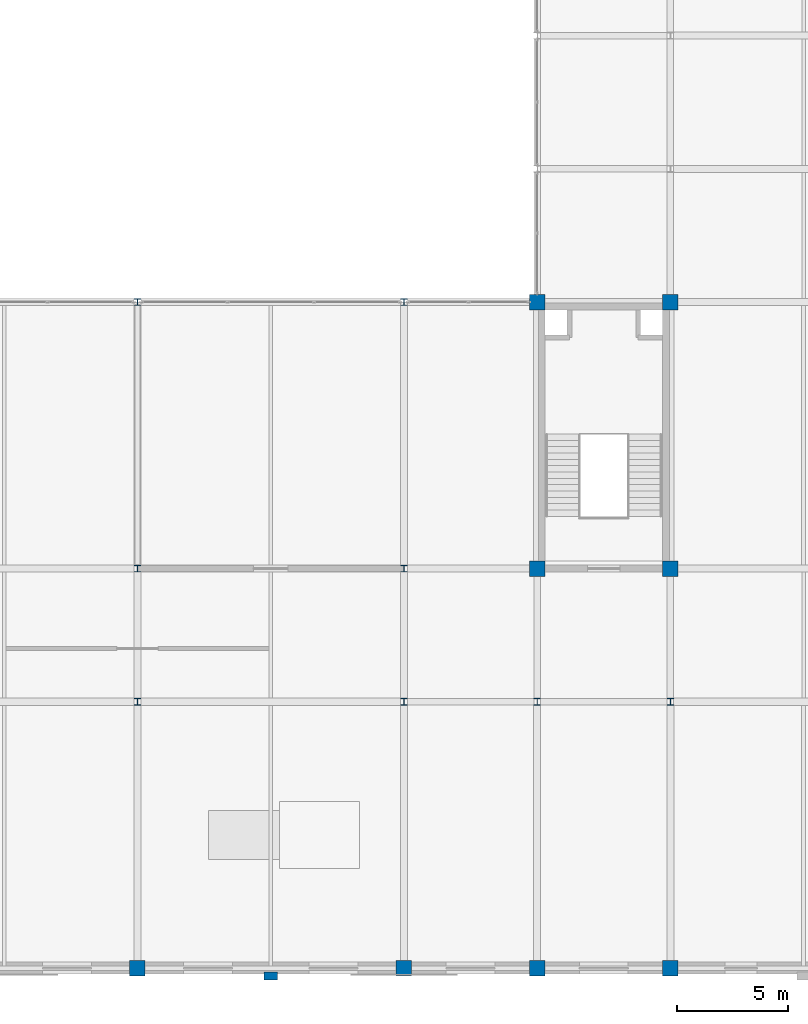
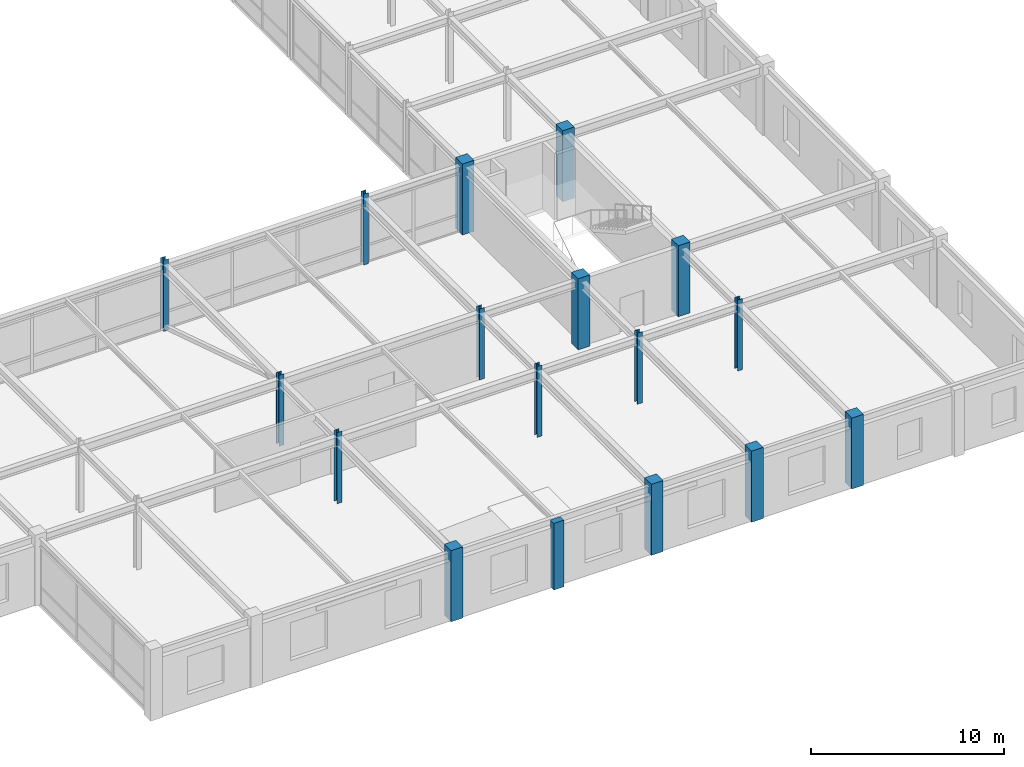
# One storey, part 18 of 108: 17 columns.
"""IFC4 building model written with IfcOpenShell, lengths in metres."""

from ifc_helpers import new_model, si_unit, direction, frame, origin, origin_2d, place, context, subcontext, project, spatial, rectangle, i_section, extrude, material, material_profile, profile_set, type_object, element, save


model = new_model("IFC4")

# Units and contexts
model_context = context("Model", 3, precision=1e-05, world=origin(), true_north=direction((0.0, 1.0)))
body_context = subcontext(model_context, "Body", "Model", "MODEL_VIEW")
ifc_project = project(units=[si_unit("LENGTHUNIT", "METRE"), si_unit("AREAUNIT", "SQUARE_METRE"), si_unit("VOLUMEUNIT", "CUBIC_METRE"), si_unit("PLANEANGLEUNIT", "RADIAN"), si_unit("MASSUNIT", "GRAM", prefix="KILO")], contexts=[model_context])

# Site, building, storey
site_placement = place(None, origin())
site = spatial("IfcSite", under=ifc_project, at=site_placement, CompositionType="ELEMENT")
building_placement = place(site_placement, origin())
building = spatial("IfcBuilding", under=site, at=building_placement, Name="Zlatovratsky Civic Hall", CompositionType="ELEMENT")
storey_placement = place(building_placement, frame((0.0, 0.0, 12.0)))
storey = spatial("IfcBuildingStorey", under=building, at=storey_placement, Name="L03", CompositionType="ELEMENT", Elevation=12.0)

# Columns
ifc_material_1 = material(Name="Concrete C35/45 (B40)", Category="concrete")
ifc_material_profile_1 = material_profile(ifc_material_1, rectangle(XDim=0.699951171875, YDim=0.699951171875, at=origin_2d()), Name="RC 700x700")
ifc_profile_set_1 = profile_set([ifc_material_profile_1], Name="Concrete C35/45 (B40)")
column_type_1 = type_object("IfcColumnType", Name="Col_CorePier_RC700", PredefinedType="COLUMN", material=ifc_profile_set_1)
for number, where, z_axis, x_axis, name in (
    (1, (132.0, 0.0, 0.0), (0.0, 0.0, 1.0), (1.0, 0.0, 0.0), "CL-1198"),
    (2, (144.0, 0.0, 0.0), (0.0, 0.0, 1.0), (1.0, 0.0, 0.0), "CL-1199"),
    (3, (150.0, 0.0, 0.0), (0.0, 0.0, 1.0), (1.0, 0.0, 0.0), "CL-1200"),
    (4, (156.0, 0.0, 0.0), (0.0, 0.0, 1.0), (1.0, 0.0, 0.0), "CL-1201"),
    (5, (150.0, 18.0, 0.0), (0.0, 0.0, 1.0), (1.0, 0.0, 0.0), "CL-1246"),
    (6, (156.0, 18.0, 0.0), (0.0, 0.0, 1.0), (1.0, 0.0, 0.0), "CL-1247"),
    (7, (150.0, 30.0, 0.0), (0.0, 0.0, 1.0), (1.0, 0.0, 0.0), "CL-1266"),
    (8, (156.0, 30.0, 0.0), (0.0, 0.0, 1.0), (1.0, 0.0, 0.0), "CL-1267"),
):
    element("IfcColumn", number, at=place(storey_placement, frame(where, z_axis=z_axis, x_axis=x_axis)), inside=storey, type_object=column_type_1, Name=name, PredefinedType="COLUMN", context=body_context, shape_type="SweptSolid", body=[
        extrude(rectangle(XDim=0.699951171875, YDim=0.699951171875, at=origin_2d()), origin(), (0.0, 0.0, 1.0), 4.5),
    ])
ifc_material_2 = material(Name="Steel S355", Category="steel")
ifc_material_profile_2 = material_profile(ifc_material_2, i_section(OverallWidth=0.299072265625, OverallDepth=0.2958984375, WebThickness=0.009033203125, FlangeThickness=0.013916015625, FilletRadius=0.01806640625, at=origin_2d()), Name="30K1")
ifc_profile_set_2 = profile_set([ifc_material_profile_2], Name="Steel S355")
column_type_2 = type_object("IfcColumnType", Name="Col_Steel_30K1", PredefinedType="COLUMN", material=ifc_profile_set_2)
for number, where, z_axis, x_axis, name in (
    (9, (132.0, 12.0, 0.0), (0.0, 0.0, 1.0), (1.0, 0.0, 0.0), "CL-1221"),
    (10, (144.0, 12.0, 0.0), (0.0, 0.0, 1.0), (1.0, 0.0, 0.0), "CL-1222"),
    (11, (150.0, 12.0, 0.0), (0.0, 0.0, 1.0), (1.0, 0.0, 0.0), "CL-1223"),
    (12, (156.0, 12.0, 0.0), (0.0, 0.0, 1.0), (1.0, 0.0, 0.0), "CL-1224"),
    (13, (132.0, 18.0, 0.0), (0.0, 0.0, 1.0), (1.0, 0.0, 0.0), "CL-1244"),
    (14, (144.0, 18.0, 0.0), (0.0, 0.0, 1.0), (1.0, 0.0, 0.0), "CL-1245"),
    (15, (132.0, 30.0, 0.0), (0.0, 0.0, 1.0), (1.0, 0.0, 0.0), "CL-1264"),
    (16, (144.0, 30.0, 0.0), (0.0, 0.0, 1.0), (1.0, 0.0, 0.0), "CL-1265"),
):
    element("IfcColumn", number, at=place(storey_placement, frame(where, z_axis=z_axis, x_axis=x_axis)), inside=storey, type_object=column_type_2, Name=name, PredefinedType="COLUMN", context=body_context, shape_type="SweptSolid", body=[
        extrude(i_section(OverallWidth=0.299072265625, OverallDepth=0.2958984375, WebThickness=0.009033203125, FlangeThickness=0.013916015625, FilletRadius=0.01806640625, at=origin_2d()), origin(), (0.0, 0.0, 1.0), 4.5),
    ])
ifc_material_profile_3 = material_profile(ifc_material_1, rectangle(XDim=0.60009765625, YDim=0.360107421875, at=origin_2d()), Name="RC 600x360")
ifc_profile_set_3 = profile_set([ifc_material_profile_3], Name="Concrete C35/45 (B40)")
column_type_3 = type_object("IfcColumnType", Name="Pilaster_Classical_RC600x360", PredefinedType="PILASTER", material=ifc_profile_set_3)
column_placement = place(storey_placement, frame((138.0, -0.35009765625, 0.0), z_axis=(0.0, 0.0, 1.0), x_axis=(1.0, 0.0, 0.0)))
element("IfcColumn", 17, at=column_placement, inside=storey, type_object=column_type_3, Name="CL-2741", PredefinedType="PILASTER", context=body_context, shape_type="SweptSolid", body=[
    extrude(rectangle(XDim=0.60009765625, YDim=0.360107421875, at=origin_2d()), origin(), (0.0, 0.0, 1.0), 4.219970703125),
])

save(model, "model.ifc")
